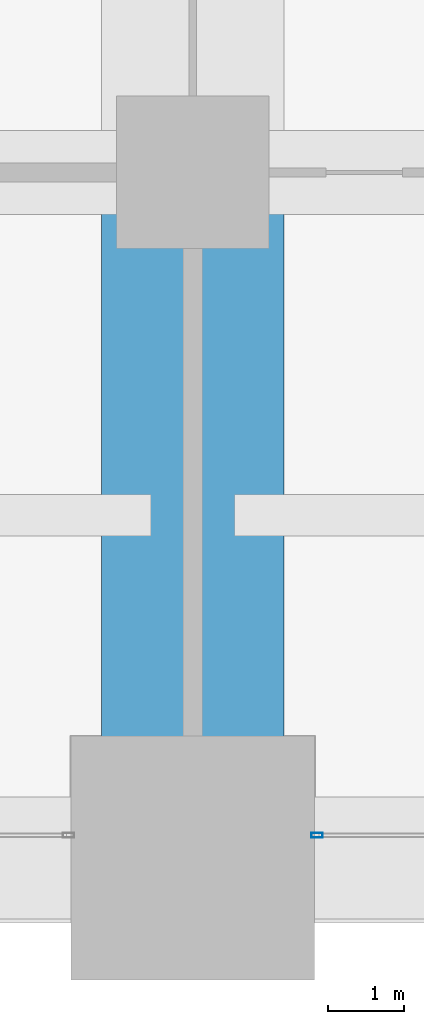
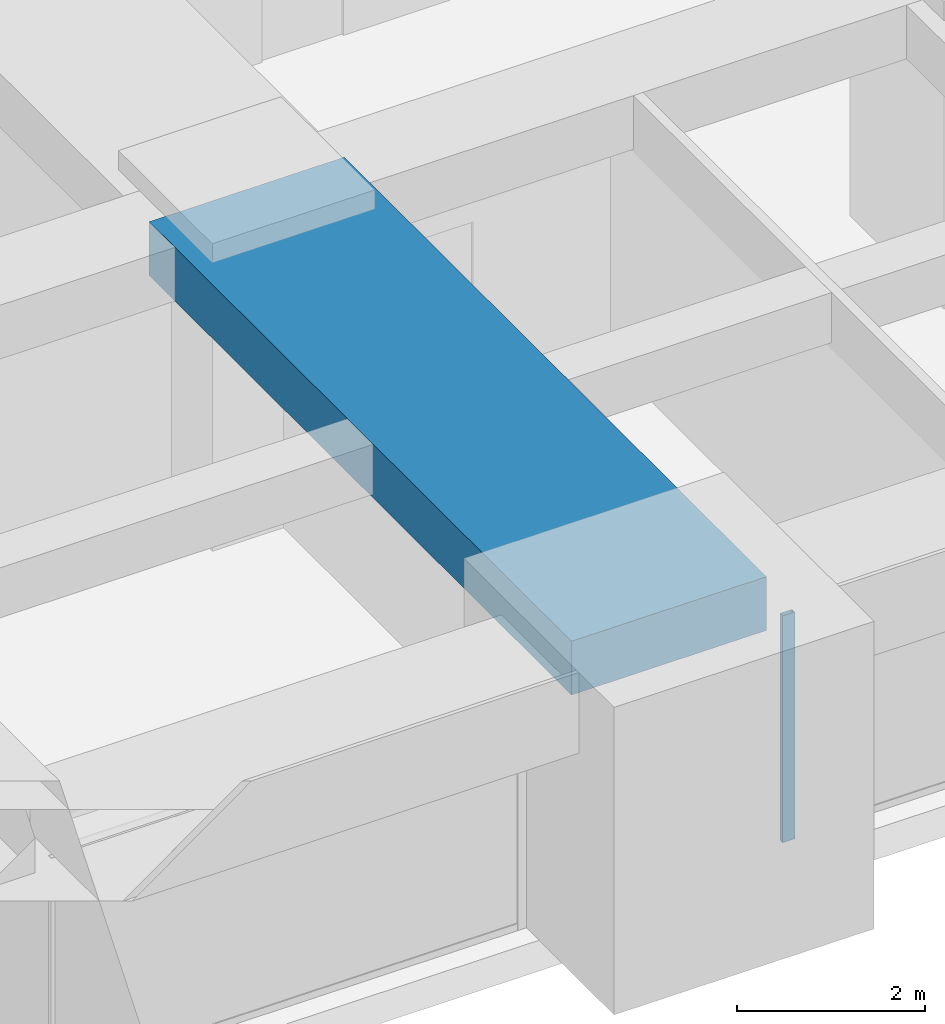
# One storey, part 8 of 35: 1 beam, 1 member, 1 element without a shape of its own.
"""IFC4 building model written with IfcOpenShell, lengths in metres."""

from ifc_helpers import new_model, si_unit, direction, frame, origin, origin_2d, place, context, subcontext, project, spatial, rectangle, hollow_rectangle, extrude, material, material_profile, profile_set, type_object, element, aggregate, save


model = new_model("IFC4")

# Units and contexts
model_context = context("Model", 3, precision=1e-05, world=origin(), true_north=direction((0.0, 1.0)))
body_context = subcontext(model_context, "Body", "Model", "MODEL_VIEW")
ifc_project = project(units=[si_unit("LENGTHUNIT", "METRE"), si_unit("AREAUNIT", "SQUARE_METRE"), si_unit("VOLUMEUNIT", "CUBIC_METRE"), si_unit("PLANEANGLEUNIT", "RADIAN"), si_unit("MASSUNIT", "GRAM", prefix="KILO")], contexts=[model_context])

# Site, building, storey
site_placement = place(None, origin())
site = spatial("IfcSite", under=ifc_project, at=site_placement, CompositionType="ELEMENT")
building_placement = place(site_placement, origin())
building = spatial("IfcBuilding", under=site, at=building_placement, Name="Zorevar Civic Tower", CompositionType="ELEMENT")
storey_placement = place(building_placement, frame((0.0, 0.0, 162.199951171875)))
storey = spatial("IfcBuildingStorey", under=building, at=storey_placement, Name="L39", CompositionType="ELEMENT", Elevation=162.199951171875)

# Beam
ifc_material_1 = material(Name="Concrete C50/60", Category="concrete")
ifc_material_profile_1 = material_profile(ifc_material_1, rectangle(XDim=2.39990234375, YDim=0.699951171875, at=origin_2d()), Name="RC 2400x700")
ifc_profile_set_1 = profile_set([ifc_material_profile_1], Name="Concrete C50/60")
beam_type = type_object("IfcBeamType", Name="Beam RC 2400x700", PredefinedType="BEAM", material=ifc_profile_set_1)
beam_placement = place(storey_placement, frame((27.0, 0.0, 3.400146484375), z_axis=(0.0, 1.0, 0.0), x_axis=(-1.0, 0.0, 0.0)))
element("IfcBeam", 1, at=beam_placement, inside=storey, type_object=beam_type, Name="Girder L40", PredefinedType="BEAM", context=body_context, shape_type="SweptSolid", body=[
    extrude(rectangle(XDim=2.39990234375, YDim=0.699951171875, at=origin_2d()), origin(), (0.0, 0.0, 1.0), 9.0),
])

# Curtain wall, member
ifc_material_2 = material(Name="Dark grey solar-control glass in black aluminium frame", Category="aluminium")
curtain_wall_type = type_object("IfcCurtainWallType", Name="Curtain wall CW4 high zone", PredefinedType="NOTDEFINED", material=ifc_material_2)
curtain_wall_placement = place(storey_placement, origin())
curtain_wall = element("IfcCurtainWall", 2, at=curtain_wall_placement, inside=storey, type_object=curtain_wall_type, Name="CW4 L39", PredefinedType="NOTDEFINED")
ifc_material_3 = material(Name="Aluminium, black anodised", Category="aluminium")
ifc_material_profile_2 = material_profile(ifc_material_3, hollow_rectangle(XDim=0.06005859375, YDim=0.14990234375, WallThickness=0.00390625, at=origin_2d()), Name="AL 150x60x4")
ifc_profile_set_2 = profile_set([ifc_material_profile_2], Name="Aluminium, black anodised")
member_type = type_object("IfcMemberType", Name="CW4 mullion AL 150x60x4", PredefinedType="MULLION", material=ifc_profile_set_2)
member_placement = place(storey_placement, frame((28.6298828125, 0.300048828125, 0.0), z_axis=(0.0, 0.0, 1.0), x_axis=(0.0, 1.0, 0.0)))
member = element("IfcMember", 3, at=member_placement, type_object=member_type, Name="CW4 mullion 1", PredefinedType="MULLION", context=body_context, shape_type="SweptSolid", body=[
    extrude(hollow_rectangle(XDim=0.06005859375, YDim=0.14990234375, WallThickness=0.00390625, at=origin_2d()), origin(), (0.0, 0.0, 1.0), 2.949951171875),
])
aggregate(curtain_wall, [member])

save(model, "model.ifc")
